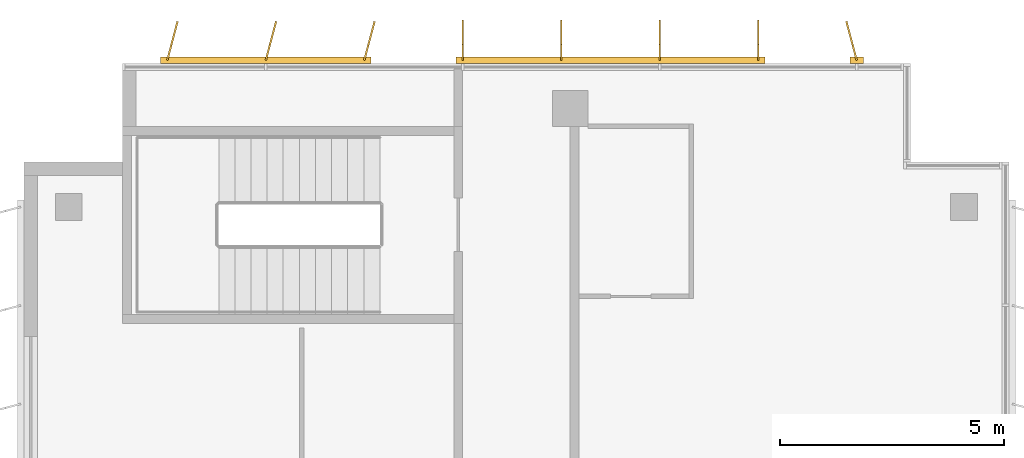
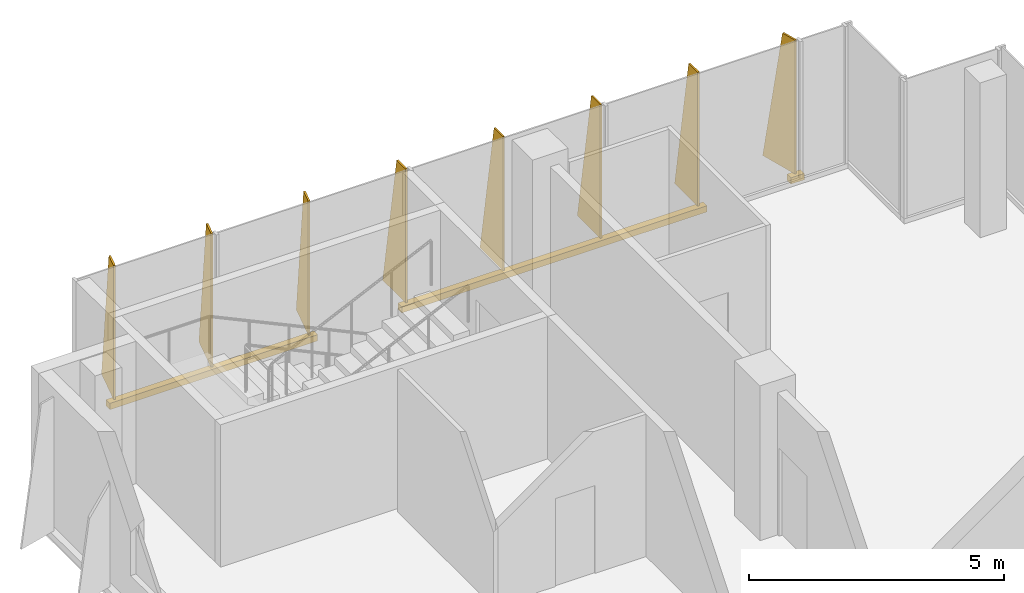
# One storey, part 15 of 15: 3 shading devices.
"""IFC4 building model written with IfcOpenShell, lengths in metres."""

from ifc_helpers import new_model, si_unit, direction, frame, origin, origin_2d, place, context, subcontext, project, spatial, polyline, rectangle, outline, extrude, source, transform, mapped, material, layer, layer_set, type_object, element, save


model = new_model("IFC4")

# Units and contexts
model_context = context("Model", 3, precision=1e-05, world=origin(), true_north=direction((0.0, 1.0)))
body_context = subcontext(model_context, "Body", "Model", "MODEL_VIEW")
ifc_project = project(units=[si_unit("LENGTHUNIT", "METRE"), si_unit("AREAUNIT", "SQUARE_METRE"), si_unit("VOLUMEUNIT", "CUBIC_METRE"), si_unit("PLANEANGLEUNIT", "RADIAN"), si_unit("MASSUNIT", "GRAM", prefix="KILO")], contexts=[model_context])

# Site, building, storey
site_placement = place(None, origin())
site = spatial("IfcSite", under=ifc_project, at=site_placement, CompositionType="ELEMENT")
building_placement = place(site_placement, origin())
building = spatial("IfcBuilding", under=site, at=building_placement, Name="Kemantara Hotel Tower", CompositionType="ELEMENT")
storey_placement = place(building_placement, frame((0.0, 0.0, 264.800048828125)))
storey = spatial("IfcBuildingStorey", under=building, at=storey_placement, Name="L66", CompositionType="ELEMENT", Elevation=264.800048828125)

# Shading devices
ifc_material = material(Name="Perforated aluminium plate 4 mm bronze anodised", Category="aluminium")
ifc_layer_1 = layer(ifc_material, 0.0400390625)
ifc_layer_set_1 = layer_set([ifc_layer_1], Name="Perforated aluminium plate 4 mm bronze anodised")
shading_device_type_1 = type_object("IfcShadingDeviceType", Name="SCREEN FIN CASSETTE, 3 BLADES AT -15.0 DEG, 3200 HIGH", PredefinedType="USERDEFINED", material=ifc_layer_set_1)
shared_shape_1 = source(origin(), body_context, "Body", "SweptSolid", [
    extrude(rectangle(XDim=4.699951171875, YDim=0.14990234375, at=origin_2d()), frame((2.199951171875, -0.074951171875, -0.14990234375), z_axis=(0.0, 0.0, 1.0), x_axis=(1.0, 0.0, 0.0)), (0.0, 0.0, 1.0), 0.14990234375),
    extrude(outline(polyline([(0.0, 0.0), (0.89990234375, 0.0), (0.35009765625, 3.199951171875), (0.0, 3.199951171875), (0.0, 0.0)])), frame((0.019287109375, -0.080078125, 0.0), z_axis=(-0.966437683387, 0.256901156343, 0.0), x_axis=(-0.256901156343, -0.966437683387, 0.0)), (0.0, 0.0, 1.0), 0.039794921875),
    extrude(outline(polyline([(0.0, 0.0), (0.89990234375, 0.0), (0.35009765625, 3.199951171875), (0.0, 3.199951171875), (0.0, 0.0)])), frame((2.21923828125, -0.080078125, 0.0), z_axis=(-0.966437683387, 0.256901156343, 0.0), x_axis=(-0.256901156343, -0.966437683387, 0.0)), (0.0, 0.0, 1.0), 0.039794921875),
    extrude(outline(polyline([(0.0, 0.0), (0.89990234375, 0.0), (0.35009765625, 3.199951171875), (0.0, 3.199951171875), (0.0, 0.0)])), frame((4.41943359375, -0.080078125, 0.0), z_axis=(-0.966837822169, 0.255391122837, 0.0), x_axis=(-0.255391122837, -0.966837822169, 0.0)), (0.0, 0.0, 1.0), 0.0400390625),
])
shading_device_1_placement = place(storey_placement, frame((7.60009765625, 63.60009765625, 0.099853515625), z_axis=(0.0, 0.0, 1.0), x_axis=(-1.0, 0.0, 0.0)))
element("IfcShadingDevice", 1, at=shading_device_1_placement, inside=storey, type_object=shading_device_type_1, Name="SCREEN FIN CASSETTE L66 T4-R02-3", ObjectType="SCREEN FIN", PredefinedType="USERDEFINED", context=body_context, shape_type="MappedRepresentation", body=[
    mapped(shared_shape_1, transform((0.0, 0.0, 0.0))),
])
ifc_layer_2 = layer(ifc_material, 0.0400390625)
ifc_layer_set_2 = layer_set([ifc_layer_2], Name="Perforated aluminium plate 4 mm bronze anodised")
shading_device_type_2 = type_object("IfcShadingDeviceType", Name="SCREEN FIN CASSETTE, 4 BLADES AT +0.0 DEG, 3200 HIGH", PredefinedType="USERDEFINED", material=ifc_layer_set_2)
shared_shape_2 = source(origin(), body_context, "Body", "SweptSolid", [
    extrude(rectangle(XDim=6.89990234375, YDim=0.14990234375, at=origin_2d()), frame((3.300048828125, -0.074951171875, -0.14990234375), z_axis=(0.0, 0.0, 1.0), x_axis=(1.0, 0.0, 0.0)), (0.0, 0.0, 1.0), 0.14990234375),
    extrude(outline(polyline([(0.0, 0.0), (0.89990234375, 0.0), (0.35009765625, 3.199951171875), (0.0, 3.199951171875), (0.0, 0.0)])), frame((0.02001953125, -0.074951171875, 0.0), z_axis=(-1.0, 0.0, 0.0), x_axis=(0.0, -1.0, 0.0)), (0.0, 0.0, 1.0), 0.0400390625),
    extrude(outline(polyline([(0.0, 0.0), (0.89990234375, 0.0), (0.35009765625, 3.199951171875), (0.0, 3.199951171875), (0.0, 0.0)])), frame((2.219970703125, -0.074951171875, 0.0), z_axis=(-1.0, 0.0, 0.0), x_axis=(0.0, -1.0, 0.0)), (0.0, 0.0, 1.0), 0.0400390625),
    extrude(outline(polyline([(0.0, 0.0), (0.89990234375, 0.0), (0.35009765625, 3.199951171875), (0.0, 3.199951171875), (0.0, 0.0)])), frame((4.419921875, -0.074951171875, 0.0), z_axis=(-1.0, 0.0, 0.0), x_axis=(0.0, -1.0, 0.0)), (0.0, 0.0, 1.0), 0.0400390625),
    extrude(outline(polyline([(0.0, 0.0), (0.89990234375, 0.0), (0.35009765625, 3.199951171875), (0.0, 3.199951171875), (0.0, 0.0)])), frame((6.6201171875, -0.074951171875, 0.0), z_axis=(-1.0, 0.0, 0.0), x_axis=(0.0, -1.0, 0.0)), (0.0, 0.0, 1.0), 0.0400390625),
])
shading_device_2_placement = place(storey_placement, frame((16.39990234375, 63.60009765625, 0.099853515625), z_axis=(0.0, 0.0, 1.0), x_axis=(-1.0, 0.0, 0.0)))
element("IfcShadingDevice", 2, at=shading_device_2_placement, inside=storey, type_object=shading_device_type_2, Name="SCREEN FIN CASSETTE L66 T4-R02-2", ObjectType="SCREEN FIN", PredefinedType="USERDEFINED", context=body_context, shape_type="MappedRepresentation", body=[
    mapped(shared_shape_2, transform((0.0, 0.0, 0.0))),
])
ifc_layer_3 = layer(ifc_material, 0.0400390625)
ifc_layer_set_3 = layer_set([ifc_layer_3], Name="Perforated aluminium plate 4 mm bronze anodised")
shading_device_type_3 = type_object("IfcShadingDeviceType", Name="SCREEN FIN CASSETTE, 1 BLADE AT +15.0 DEG, 3200 HIGH", PredefinedType="USERDEFINED", material=ifc_layer_set_3)
shared_shape_3 = source(origin(), body_context, "Body", "SweptSolid", [
    extrude(rectangle(XDim=0.300048828125, YDim=0.14990234375, at=origin_2d()), frame((0.0, -0.074951171875, -0.14990234375), z_axis=(0.0, 0.0, 1.0), x_axis=(1.0, 0.0, 0.0)), (0.0, 0.0, 1.0), 0.14990234375),
    extrude(outline(polyline([(0.0, 0.0), (0.89990234375, 0.0), (0.35009765625, 3.199951171875), (0.0, 3.199951171875), (0.0, 0.0)])), frame((0.019287109375, -0.06982421875, 0.0), z_axis=(-0.966437683387, -0.256901156343, 0.0), x_axis=(0.256901156343, -0.966437683387, 0.0)), (0.0, 0.0, 1.0), 0.039794921875),
])
shading_device_3_placement = place(storey_placement, frame((18.60009765625, 63.60009765625, 0.099853515625), z_axis=(0.0, 0.0, 1.0), x_axis=(-1.0, 0.0, 0.0)))
element("IfcShadingDevice", 3, at=shading_device_3_placement, inside=storey, type_object=shading_device_type_3, Name="SCREEN FIN CASSETTE L66 T4-R02-1", ObjectType="SCREEN FIN", PredefinedType="USERDEFINED", context=body_context, shape_type="MappedRepresentation", body=[
    mapped(shared_shape_3, transform((0.0, 0.0, 0.0))),
])

save(model, "model.ifc")
